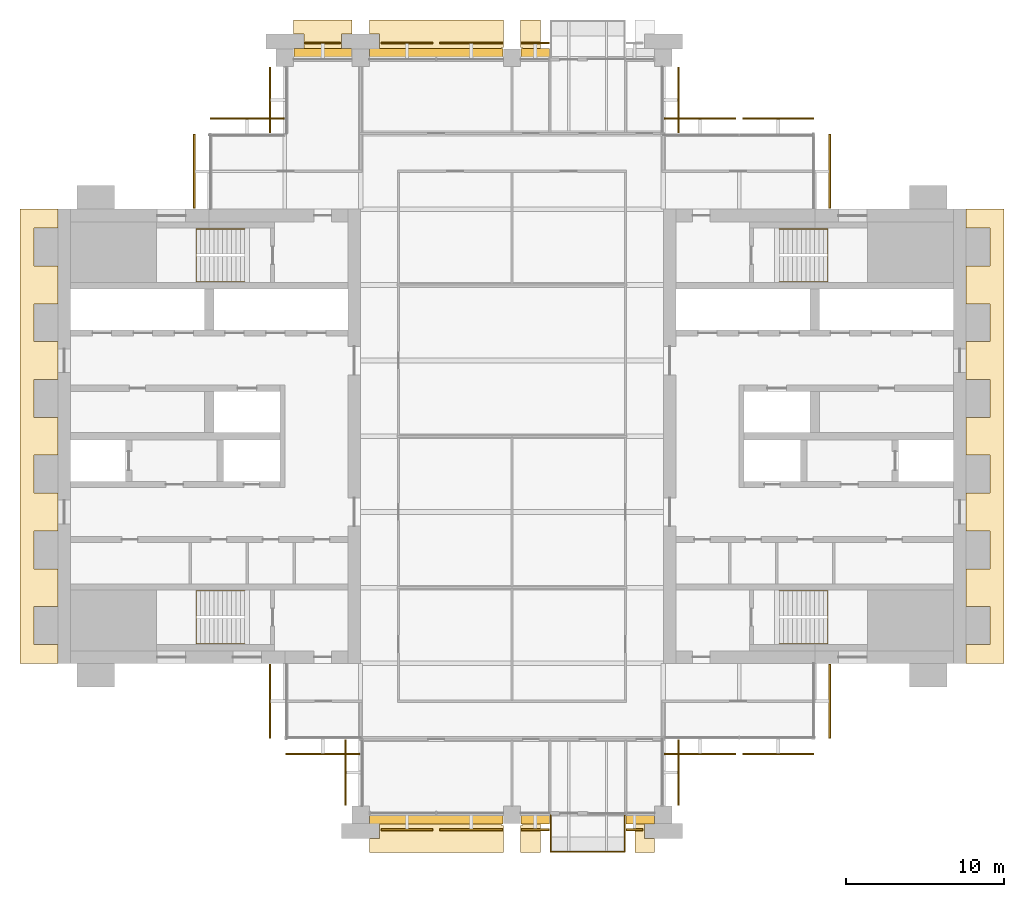
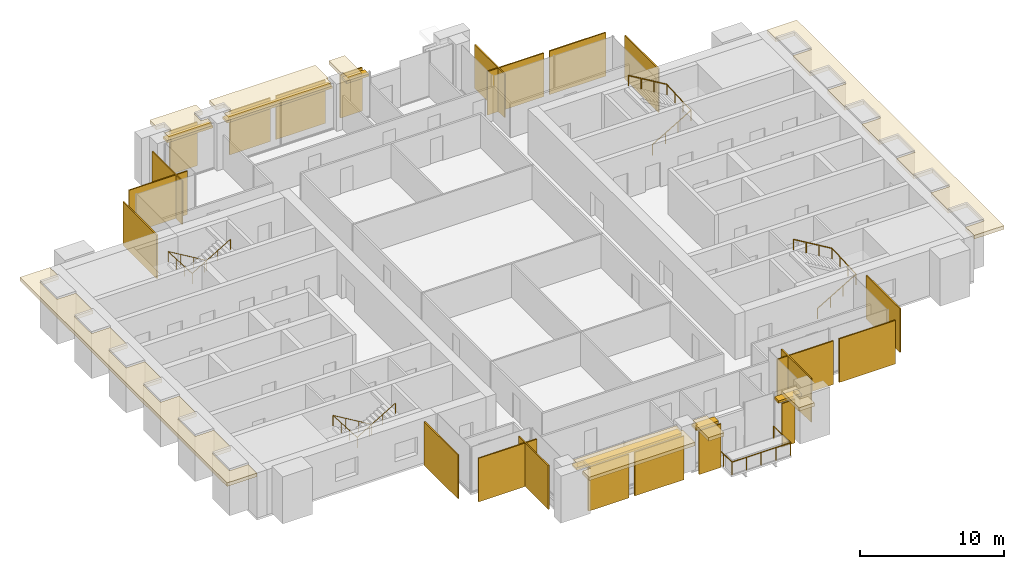
# One storey, part 13 of 14: 30 coverings, 6 shading devices, 5 railings.
"""IFC4 building model written with IfcOpenShell, lengths in metres."""

from ifc_helpers import new_model, si_unit, direction, frame, origin, origin_2d, place, context, subcontext, project, spatial, polyline, rectangle, circle, outline, extrude, material, layer, layer_set, type_object, element, save


model = new_model("IFC4")

# Units and contexts
model_context = context("Model", 3, precision=1e-05, world=origin(), true_north=direction((0.0, 1.0)))
body_context = subcontext(model_context, "Body", "Model", "MODEL_VIEW")
ifc_project = project(units=[si_unit("LENGTHUNIT", "METRE"), si_unit("AREAUNIT", "SQUARE_METRE"), si_unit("VOLUMEUNIT", "CUBIC_METRE"), si_unit("PLANEANGLEUNIT", "RADIAN"), si_unit("MASSUNIT", "GRAM", prefix="KILO")], contexts=[model_context])

# Site, building, storey
site_placement = place(None, origin())
site = spatial("IfcSite", under=ifc_project, at=site_placement, CompositionType="ELEMENT")
building_placement = place(site_placement, origin())
building = spatial("IfcBuilding", under=site, at=building_placement, Name="Baori Bourse Tower", CompositionType="ELEMENT")
storey_placement = place(building_placement, frame((0.0, 0.0, 221.199951171875)))
storey = spatial("IfcBuildingStorey", under=building, at=storey_placement, Name="L48", CompositionType="ELEMENT", Elevation=221.199951171875)

# Coverings
ifc_material_1 = material(Name="Pale anodised aluminium", Category="aluminium")
covering_type_1 = type_object("IfcCoveringType", Name="BD1 Pale metal band", PredefinedType="CLADDING", material=ifc_material_1)
covering_1_placement = place(storey_placement, frame((0.0, 0.0, 3.5400390625)))
element("IfcCovering", 1, at=covering_1_placement, inside=storey, type_object=covering_type_1, Name="Pale projecting band L48 1", PredefinedType="CLADDING", context=body_context, shape_type="SweptSolid", body=[
    extrude(outline(polyline([(57.60009765625, 10.800048828125), (57.60009765625, 9.60009765625), (60.0, 9.60009765625), (60.0, 38.39990234375), (57.60009765625, 38.39990234375), (57.60009765625, 37.199951171875), (59.10009765625, 37.199951171875), (59.10009765625, 34.800048828125), (57.60009765625, 34.800048828125), (57.60009765625, 32.39990234375), (59.10009765625, 32.39990234375), (59.10009765625, 30.0), (57.60009765625, 30.0), (57.60009765625, 27.60009765625), (59.10009765625, 27.60009765625), (59.10009765625, 25.199951171875), (57.60009765625, 25.199951171875), (57.60009765625, 22.800048828125), (59.10009765625, 22.800048828125), (59.10009765625, 20.39990234375), (57.60009765625, 20.39990234375), (57.60009765625, 18.0), (59.10009765625, 18.0), (59.10009765625, 15.60009765625), (57.60009765625, 15.60009765625), (57.60009765625, 13.199951171875), (59.10009765625, 13.199951171875), (59.10009765625, 10.800048828125), (57.60009765625, 10.800048828125)])), origin(), (0.0, 0.0, 1.0), 0.300048828125),
])
covering_2_placement = place(storey_placement, frame((0.0, 0.0, 3.5400390625)))
element("IfcCovering", 2, at=covering_2_placement, inside=storey, type_object=covering_type_1, Name="Pale projecting band L48 3", PredefinedType="CLADDING", context=body_context, shape_type="SweptSolid", body=[
    extrude(outline(polyline([(29.469970703125, 48.0), (30.60009765625, 48.0), (30.60009765625, 50.39990234375), (29.35009765625, 50.39990234375), (29.35009765625, 48.669921875), (29.469970703125, 48.669921875), (29.469970703125, 48.0)])), origin(), (0.0, 0.0, 1.0), 0.300048828125),
])
covering_3_placement = place(storey_placement, frame((0.0, 0.0, 3.5400390625)))
element("IfcCovering", 3, at=covering_3_placement, inside=storey, type_object=covering_type_1, Name="Pale projecting band L48 4", PredefinedType="CLADDING", context=body_context, shape_type="SweptSolid", body=[
    extrude(outline(polyline([(19.8701171875, 48.0), (28.1298828125, 48.0), (28.1298828125, 48.669921875), (28.25, 48.669921875), (28.25, 50.39990234375), (19.75, 50.39990234375), (19.75, 49.5), (20.39990234375, 49.5), (20.39990234375, 48.550048828125), (19.8701171875, 48.550048828125), (19.8701171875, 48.0)])), origin(), (0.0, 0.0, 1.0), 0.300048828125),
])
covering_4_placement = place(storey_placement, frame((0.0, 0.0, 3.5400390625)))
element("IfcCovering", 4, at=covering_4_placement, inside=storey, type_object=covering_type_1, Name="Pale projecting band L48 5", PredefinedType="CLADDING", context=body_context, shape_type="SweptSolid", body=[
    extrude(outline(polyline([(15.070068359375, 48.0), (18.530029296875, 48.0), (18.530029296875, 48.550048828125), (18.0, 48.550048828125), (18.0, 49.5), (18.64990234375, 49.5), (18.64990234375, 50.39990234375), (14.949951171875, 50.39990234375), (14.949951171875, 49.5), (15.60009765625, 49.5), (15.60009765625, 48.550048828125), (15.070068359375, 48.550048828125), (15.070068359375, 48.0)])), origin(), (0.0, 0.0, 1.0), 0.300048828125),
])
covering_5_placement = place(storey_placement, frame((0.0, 0.0, 3.5400390625)))
element("IfcCovering", 5, at=covering_5_placement, inside=storey, type_object=covering_type_1, Name="Pale projecting band L48 6", PredefinedType="CLADDING", context=body_context, shape_type="SweptSolid", body=[
    extrude(outline(polyline([(0.0, 37.199951171875), (0.0, 38.39990234375), (-2.39990234375, 38.39990234375), (-2.39990234375, 9.60009765625), (0.0, 9.60009765625), (0.0, 10.800048828125), (-1.5, 10.800048828125), (-1.5, 13.199951171875), (0.0, 13.199951171875), (0.0, 15.60009765625), (-1.5, 15.60009765625), (-1.5, 18.0), (0.0, 18.0), (0.0, 20.39990234375), (-1.5, 20.39990234375), (-1.5, 22.800048828125), (0.0, 22.800048828125), (0.0, 25.199951171875), (-1.5, 25.199951171875), (-1.5, 27.60009765625), (0.0, 27.60009765625), (0.0, 30.0), (-1.5, 30.0), (-1.5, 32.39990234375), (0.0, 32.39990234375), (0.0, 34.800048828125), (-1.5, 34.800048828125), (-1.5, 37.199951171875), (0.0, 37.199951171875)])), origin(), (0.0, 0.0, 1.0), 0.300048828125),
])
covering_6_placement = place(storey_placement, frame((0.0, 0.0, 3.5400390625)))
element("IfcCovering", 6, at=covering_6_placement, inside=storey, type_object=covering_type_1, Name="Pale projecting band L48 7", PredefinedType="CLADDING", context=body_context, shape_type="SweptSolid", body=[
    extrude(outline(polyline([(28.1298828125, 0.0), (19.8701171875, 0.0), (19.8701171875, -0.550048828125), (20.39990234375, -0.550048828125), (20.39990234375, -1.5), (19.75, -1.5), (19.75, -2.39990234375), (28.25, -2.39990234375), (28.25, -0.669921875), (28.1298828125, -0.669921875), (28.1298828125, 0.0)])), origin(), (0.0, 0.0, 1.0), 0.300048828125),
])
covering_7_placement = place(storey_placement, frame((0.0, 0.0, 3.5400390625)))
element("IfcCovering", 7, at=covering_7_placement, inside=storey, type_object=covering_type_1, Name="Pale projecting band L48 8", PredefinedType="CLADDING", context=body_context, shape_type="SweptSolid", body=[
    extrude(outline(polyline([(30.60009765625, 0.0), (29.469970703125, 0.0), (29.469970703125, -0.669921875), (29.35009765625, -0.669921875), (29.35009765625, -2.39990234375), (30.60009765625, -2.39990234375), (30.60009765625, 0.0)])), origin(), (0.0, 0.0, 1.0), 0.300048828125),
])
covering_8_placement = place(storey_placement, frame((0.0, 0.0, 3.5400390625)))
element("IfcCovering", 8, at=covering_8_placement, inside=storey, type_object=covering_type_1, Name="Pale projecting band L48 9", PredefinedType="CLADDING", context=body_context, shape_type="SweptSolid", body=[
    extrude(outline(polyline([(37.72998046875, 0.0), (36.60009765625, 0.0), (36.60009765625, -2.39990234375), (37.85009765625, -2.39990234375), (37.85009765625, -1.5), (37.199951171875, -1.5), (37.199951171875, -0.550048828125), (37.72998046875, -0.550048828125), (37.72998046875, 0.0)])), origin(), (0.0, 0.0, 1.0), 0.300048828125),
])

# Shading devices
ifc_material_2 = material(Name="Concrete f'c 40 MPa", Category="concrete")
ifc_layer_1 = layer(ifc_material_2, 0.199951171875)
ifc_layer_set_1 = layer_set([ifc_layer_1], Name="BS1 Brise-soleil ledge")
shading_device_type = type_object("IfcShadingDeviceType", Name="BS1 Brise-soleil ledge", PredefinedType="USERDEFINED", material=ifc_layer_set_1)
shading_device_1_placement = place(storey_placement, frame((30.27490234375, 48.300048828125, 3.33984375), z_axis=(0.0, 0.0, 1.0), x_axis=(-1.0, 0.0, 0.0)))
element("IfcShadingDevice", 9, at=shading_device_1_placement, inside=storey, type_object=shading_device_type, Name="Brise-soleil ledge L48 2", ObjectType="BRISE SOLEIL", PredefinedType="USERDEFINED", context=body_context, shape_type="SweptSolid", body=[
    extrude(rectangle(XDim=1.81005859375, YDim=0.60009765625, at=origin_2d()), origin(), (0.0, 0.0, 1.0), 0.199951171875),
])
shading_device_2_placement = place(storey_placement, frame((24.0, 48.300048828125, 3.33984375), z_axis=(0.0, 0.0, 1.0), x_axis=(-1.0, 0.0, 0.0)))
element("IfcShadingDevice", 10, at=shading_device_2_placement, inside=storey, type_object=shading_device_type, Name="Brise-soleil ledge L48 3", ObjectType="BRISE SOLEIL", PredefinedType="USERDEFINED", context=body_context, shape_type="SweptSolid", body=[
    extrude(rectangle(XDim=8.4599609375, YDim=0.60009765625, at=origin_2d()), origin(), (0.0, 0.0, 1.0), 0.199951171875),
])
shading_device_3_placement = place(storey_placement, frame((16.800048828125, 48.300048828125, 3.33984375), z_axis=(0.0, 0.0, 1.0), x_axis=(-1.0, 0.0, 0.0)))
element("IfcShadingDevice", 11, at=shading_device_3_placement, inside=storey, type_object=shading_device_type, Name="Brise-soleil ledge L48 4", ObjectType="BRISE SOLEIL", PredefinedType="USERDEFINED", context=body_context, shape_type="SweptSolid", body=[
    extrude(rectangle(XDim=3.659912109375, YDim=0.60009765625, at=origin_2d()), origin(), (0.0, 0.0, 1.0), 0.199951171875),
])
shading_device_4_placement = place(storey_placement, frame((24.0, -0.300048828125, 3.33984375), z_axis=(0.0, 0.0, 1.0), x_axis=(1.0, 0.0, 0.0)))
element("IfcShadingDevice", 12, at=shading_device_4_placement, inside=storey, type_object=shading_device_type, Name="Brise-soleil ledge L48 5", ObjectType="BRISE SOLEIL", PredefinedType="USERDEFINED", context=body_context, shape_type="SweptSolid", body=[
    extrude(rectangle(XDim=8.4599609375, YDim=0.60009765625, at=origin_2d()), origin(), (0.0, 0.0, 1.0), 0.199951171875),
])
for number, where, z_axis, x_axis, name in (
    (13, (30.27490234375, -0.300048828125, 3.33984375), (0.0, 0.0, 1.0), (1.0, 0.0, 0.0), "Brise-soleil ledge L48 6"),
    (14, (36.925048828125, -0.300048828125, 3.33984375), (0.0, 0.0, 1.0), (1.0, 0.0, 0.0), "Brise-soleil ledge L48 7"),
):
    element("IfcShadingDevice", number, at=place(storey_placement, frame(where, z_axis=z_axis, x_axis=x_axis)), inside=storey, type_object=shading_device_type, Name=name, ObjectType="BRISE SOLEIL", PredefinedType="USERDEFINED", context=body_context, shape_type="SweptSolid", body=[
        extrude(rectangle(XDim=1.81005859375, YDim=0.60009765625, at=origin_2d()), origin(), (0.0, 0.0, 1.0), 0.199951171875),
    ])

# Railings
ifc_material_3 = material(Name="Powder-coated steel balustrade", Category="steel")
railing_type_1 = type_object("IfcRailingType", Name="Core stair handrail", PredefinedType="HANDRAIL", material=ifc_material_3)
railing_1_placement = place(storey_placement, frame((11.85009765625, 14.199951171875, 0.166748046875)))
element("IfcRailing", 15, at=railing_1_placement, inside=storey, type_object=railing_type_1, Name="L48 ST1 stair handrail 1", PredefinedType="HANDRAIL", context=body_context, shape_type="SweptSolid", body=[
    extrude(circle(Radius=0.02392578125, at=origin_2d()), frame((0.0, 0.0, 0.8759765625), z_axis=(-0.859308565015, 0.0, 0.511457515432), x_axis=(0.0, -1.0, 0.0)), (0.0, 0.0, 1.0), 3.58447265625),
    extrude(circle(Radius=0.02392578125, at=origin_2d()), frame((-3.080078125, 0.0, 2.708984375), z_axis=(0.0, -0.998763387249, 0.04971615724), x_axis=(1.0, 0.0, 0.0)), (0.0, 0.0, 1.0), 3.35400390625),
    extrude(circle(Radius=0.02392578125, at=origin_2d()), frame((-3.080078125, -3.349853515625, 2.8759765625), z_axis=(0.859308565015, 0.0, 0.511457515432), x_axis=(0.0, 1.0, 0.0)), (0.0, 0.0, 1.0), 3.58447265625),
    extrude(circle(Radius=0.02099609375, at=origin_2d()), origin(), (0.0, 0.0, 1.0), 0.851806640625),
    extrude(circle(Radius=0.02099609375, at=origin_2d()), frame((-1.026611328125, 0.0, 0.611083984375)), (0.0, 0.0, 1.0), 0.851806640625),
    extrude(circle(Radius=0.02099609375, at=origin_2d()), frame((-2.053466796875, 0.0, 1.22216796875)), (0.0, 0.0, 1.0), 0.851806640625),
    extrude(circle(Radius=0.02099609375, at=origin_2d()), frame((-3.080078125, 0.0, 1.833251953125)), (0.0, 0.0, 1.0), 0.851806640625),
    extrude(circle(Radius=0.02099609375, at=origin_2d()), frame((-3.080078125, -1.11669921875, 1.888916015625)), (0.0, 0.0, 1.0), 0.851806640625),
    extrude(circle(Radius=0.02099609375, at=origin_2d()), frame((-3.080078125, -2.233154296875, 1.9443359375)), (0.0, 0.0, 1.0), 0.851806640625),
    extrude(circle(Radius=0.02099609375, at=origin_2d()), frame((-3.080078125, -3.349853515625, 2.0)), (0.0, 0.0, 1.0), 0.851806640625),
    extrude(circle(Radius=0.02099609375, at=origin_2d()), frame((-2.053466796875, -3.349853515625, 2.611083984375)), (0.0, 0.0, 1.0), 0.851806640625),
    extrude(circle(Radius=0.02099609375, at=origin_2d()), frame((-1.026611328125, -3.349853515625, 3.22216796875)), (0.0, 0.0, 1.0), 0.851806640625),
    extrude(circle(Radius=0.02099609375, at=origin_2d()), frame((0.0, -3.349853515625, 3.833251953125)), (0.0, 0.0, 1.0), 0.851806640625),
])
railing_2_placement = place(storey_placement, frame((11.85009765625, 37.14990234375, 0.166748046875)))
element("IfcRailing", 16, at=railing_2_placement, inside=storey, type_object=railing_type_1, Name="L48 ST2 stair handrail 1", PredefinedType="HANDRAIL", context=body_context, shape_type="SweptSolid", body=[
    extrude(circle(Radius=0.02392578125, at=origin_2d()), frame((0.0, 0.0, 0.8759765625), z_axis=(-0.859308565015, 0.0, 0.511457515432), x_axis=(0.0, -1.0, 0.0)), (0.0, 0.0, 1.0), 3.58447265625),
    extrude(circle(Radius=0.02392578125, at=origin_2d()), frame((-3.080078125, 0.0, 2.708984375), z_axis=(0.0, -0.998763387249, 0.04971615724), x_axis=(1.0, 0.0, 0.0)), (0.0, 0.0, 1.0), 3.35400390625),
    extrude(circle(Radius=0.02392578125, at=origin_2d()), frame((-3.080078125, -3.349853515625, 2.8759765625), z_axis=(0.859308565015, 0.0, 0.511457515432), x_axis=(0.0, 1.0, 0.0)), (0.0, 0.0, 1.0), 3.58447265625),
    extrude(circle(Radius=0.02099609375, at=origin_2d()), origin(), (0.0, 0.0, 1.0), 0.851806640625),
    extrude(circle(Radius=0.02099609375, at=origin_2d()), frame((-1.026611328125, 0.0, 0.611083984375)), (0.0, 0.0, 1.0), 0.851806640625),
    extrude(circle(Radius=0.02099609375, at=origin_2d()), frame((-2.053466796875, 0.0, 1.22216796875)), (0.0, 0.0, 1.0), 0.851806640625),
    extrude(circle(Radius=0.02099609375, at=origin_2d()), frame((-3.080078125, 0.0, 1.833251953125)), (0.0, 0.0, 1.0), 0.851806640625),
    extrude(circle(Radius=0.02099609375, at=origin_2d()), frame((-3.080078125, -1.11669921875, 1.888916015625)), (0.0, 0.0, 1.0), 0.851806640625),
    extrude(circle(Radius=0.02099609375, at=origin_2d()), frame((-3.080078125, -2.233154296875, 1.9443359375)), (0.0, 0.0, 1.0), 0.851806640625),
    extrude(circle(Radius=0.02099609375, at=origin_2d()), frame((-3.080078125, -3.349853515625, 2.0)), (0.0, 0.0, 1.0), 0.851806640625),
    extrude(circle(Radius=0.02099609375, at=origin_2d()), frame((-2.053466796875, -3.349853515625, 2.611083984375)), (0.0, 0.0, 1.0), 0.851806640625),
    extrude(circle(Radius=0.02099609375, at=origin_2d()), frame((-1.026611328125, -3.349853515625, 3.22216796875)), (0.0, 0.0, 1.0), 0.851806640625),
    extrude(circle(Radius=0.02099609375, at=origin_2d()), frame((0.0, -3.349853515625, 3.833251953125)), (0.0, 0.0, 1.0), 0.851806640625),
])
railing_3_placement = place(storey_placement, frame((45.75, 10.85009765625, 0.166748046875)))
element("IfcRailing", 17, at=railing_3_placement, inside=storey, type_object=railing_type_1, Name="L48 ST3 stair handrail 1", PredefinedType="HANDRAIL", context=body_context, shape_type="SweptSolid", body=[
    extrude(circle(Radius=0.02392578125, at=origin_2d()), frame((0.0, 0.0, 0.8759765625), z_axis=(0.859308565015, 0.0, 0.511457515432), x_axis=(0.0, 1.0, 0.0)), (0.0, 0.0, 1.0), 3.58447265625),
    extrude(circle(Radius=0.02392578125, at=origin_2d()), frame((3.080078125, 0.0, 2.708984375), z_axis=(0.0, 0.998763387249, 0.04971615724), x_axis=(-1.0, 0.0, 0.0)), (0.0, 0.0, 1.0), 3.35400390625),
    extrude(circle(Radius=0.02392578125, at=origin_2d()), frame((3.080078125, 3.349853515625, 2.8759765625), z_axis=(-0.859308565015, 0.0, 0.511457515432), x_axis=(0.0, -1.0, 0.0)), (0.0, 0.0, 1.0), 3.58447265625),
    extrude(circle(Radius=0.02099609375, at=origin_2d()), origin(), (0.0, 0.0, 1.0), 0.851806640625),
    extrude(circle(Radius=0.02099609375, at=origin_2d()), frame((1.026611328125, 0.0, 0.611083984375)), (0.0, 0.0, 1.0), 0.851806640625),
    extrude(circle(Radius=0.02099609375, at=origin_2d()), frame((2.053466796875, 0.0, 1.22216796875)), (0.0, 0.0, 1.0), 0.851806640625),
    extrude(circle(Radius=0.02099609375, at=origin_2d()), frame((3.080078125, 0.0, 1.833251953125)), (0.0, 0.0, 1.0), 0.851806640625),
    extrude(circle(Radius=0.02099609375, at=origin_2d()), frame((3.080078125, 1.11669921875, 1.888916015625)), (0.0, 0.0, 1.0), 0.851806640625),
    extrude(circle(Radius=0.02099609375, at=origin_2d()), frame((3.080078125, 2.233154296875, 1.9443359375)), (0.0, 0.0, 1.0), 0.851806640625),
    extrude(circle(Radius=0.02099609375, at=origin_2d()), frame((3.080078125, 3.349853515625, 2.0)), (0.0, 0.0, 1.0), 0.851806640625),
    extrude(circle(Radius=0.02099609375, at=origin_2d()), frame((2.053466796875, 3.349853515625, 2.611083984375)), (0.0, 0.0, 1.0), 0.851806640625),
    extrude(circle(Radius=0.02099609375, at=origin_2d()), frame((1.026611328125, 3.349853515625, 3.22216796875)), (0.0, 0.0, 1.0), 0.851806640625),
    extrude(circle(Radius=0.02099609375, at=origin_2d()), frame((0.0, 3.349853515625, 3.833251953125)), (0.0, 0.0, 1.0), 0.851806640625),
])
railing_4_placement = place(storey_placement, frame((45.75, 33.800048828125, 0.166748046875)))
element("IfcRailing", 18, at=railing_4_placement, inside=storey, type_object=railing_type_1, Name="L48 ST4 stair handrail 1", PredefinedType="HANDRAIL", context=body_context, shape_type="SweptSolid", body=[
    extrude(circle(Radius=0.02392578125, at=origin_2d()), frame((0.0, 0.0, 0.8759765625), z_axis=(0.859308565015, 0.0, 0.511457515432), x_axis=(0.0, 1.0, 0.0)), (0.0, 0.0, 1.0), 3.58447265625),
    extrude(circle(Radius=0.02392578125, at=origin_2d()), frame((3.080078125, 0.0, 2.708984375), z_axis=(0.0, 0.998763387249, 0.04971615724), x_axis=(-1.0, 0.0, 0.0)), (0.0, 0.0, 1.0), 3.35400390625),
    extrude(circle(Radius=0.02392578125, at=origin_2d()), frame((3.080078125, 3.349853515625, 2.8759765625), z_axis=(-0.859308565015, 0.0, 0.511457515432), x_axis=(0.0, -1.0, 0.0)), (0.0, 0.0, 1.0), 3.58447265625),
    extrude(circle(Radius=0.02099609375, at=origin_2d()), origin(), (0.0, 0.0, 1.0), 0.851806640625),
    extrude(circle(Radius=0.02099609375, at=origin_2d()), frame((1.026611328125, 0.0, 0.611083984375)), (0.0, 0.0, 1.0), 0.851806640625),
    extrude(circle(Radius=0.02099609375, at=origin_2d()), frame((2.053466796875, 0.0, 1.22216796875)), (0.0, 0.0, 1.0), 0.851806640625),
    extrude(circle(Radius=0.02099609375, at=origin_2d()), frame((3.080078125, 0.0, 1.833251953125)), (0.0, 0.0, 1.0), 0.851806640625),
    extrude(circle(Radius=0.02099609375, at=origin_2d()), frame((3.080078125, 1.11669921875, 1.888916015625)), (0.0, 0.0, 1.0), 0.851806640625),
    extrude(circle(Radius=0.02099609375, at=origin_2d()), frame((3.080078125, 2.233154296875, 1.9443359375)), (0.0, 0.0, 1.0), 0.851806640625),
    extrude(circle(Radius=0.02099609375, at=origin_2d()), frame((3.080078125, 3.349853515625, 2.0)), (0.0, 0.0, 1.0), 0.851806640625),
    extrude(circle(Radius=0.02099609375, at=origin_2d()), frame((2.053466796875, 3.349853515625, 2.611083984375)), (0.0, 0.0, 1.0), 0.851806640625),
    extrude(circle(Radius=0.02099609375, at=origin_2d()), frame((1.026611328125, 3.349853515625, 3.22216796875)), (0.0, 0.0, 1.0), 0.851806640625),
    extrude(circle(Radius=0.02099609375, at=origin_2d()), frame((0.0, 3.349853515625, 3.833251953125)), (0.0, 0.0, 1.0), 0.851806640625),
])
ifc_material_4 = material(Name="Stainless steel", Category="steel")
railing_type_2 = type_object("IfcRailingType", Name="GD1 Guard", PredefinedType="GUARDRAIL", material=ifc_material_4)
railing_5_placement = place(storey_placement, frame((31.25, -0.030029296875, 0.0)))
element("IfcRailing", 19, at=railing_5_placement, inside=storey, type_object=railing_type_2, Name="Guard balcony S L48 1", PredefinedType="GUARDRAIL", context=body_context, shape_type="SweptSolid", body=[
    extrude(circle(Radius=0.02392578125, at=origin_2d()), frame((0.0, 0.0, 1.076171875), z_axis=(0.0, -1.0, 0.0), x_axis=(1.0, 0.0, 0.0)), (0.0, 0.0, 1.0), 2.320068359375),
    extrude(circle(Radius=0.02392578125, at=origin_2d()), frame((0.0, -2.320068359375, 1.076171875), z_axis=(1.0, 0.0, 0.0), x_axis=(0.0, 1.0, 0.0)), (0.0, 0.0, 1.0), 4.699951171875),
    extrude(circle(Radius=0.02392578125, at=origin_2d()), frame((4.699951171875, -2.320068359375, 1.076171875), z_axis=(0.0, 1.0, 0.0), x_axis=(-1.0, 0.0, 0.0)), (0.0, 0.0, 1.0), 2.320068359375),
    extrude(circle(Radius=0.02099609375, at=origin_2d()), origin(), (0.0, 0.0, 1.0), 1.052001953125),
    extrude(circle(Radius=0.02099609375, at=origin_2d()), frame((0.0, -1.16015625, 0.0)), (0.0, 0.0, 1.0), 1.052001953125),
    extrude(circle(Radius=0.02099609375, at=origin_2d()), frame((0.0, -2.320068359375, 0.0)), (0.0, 0.0, 1.0), 1.052001953125),
    extrude(circle(Radius=0.02099609375, at=origin_2d()), frame((1.175048828125, -2.320068359375, 0.0)), (0.0, 0.0, 1.0), 1.052001953125),
    extrude(circle(Radius=0.02099609375, at=origin_2d()), frame((2.35009765625, -2.320068359375, 0.0)), (0.0, 0.0, 1.0), 1.052001953125),
    extrude(circle(Radius=0.02099609375, at=origin_2d()), frame((3.52490234375, -2.320068359375, 0.0)), (0.0, 0.0, 1.0), 1.052001953125),
    extrude(circle(Radius=0.02099609375, at=origin_2d()), frame((4.699951171875, -2.320068359375, 0.0)), (0.0, 0.0, 1.0), 1.052001953125),
    extrude(circle(Radius=0.02099609375, at=origin_2d()), frame((4.699951171875, -1.16015625, 0.0)), (0.0, 0.0, 1.0), 1.052001953125),
    extrude(circle(Radius=0.02099609375, at=origin_2d()), frame((4.699951171875, 0.0, 0.0)), (0.0, 0.0, 1.0), 1.052001953125),
])

# Coverings
ifc_material_5 = material(Name="Pale anodised aluminium", Category="aluminium")
ifc_layer_2 = layer(ifc_material_5, 0.10009765625)
ifc_layer_set_2 = layer_set([ifc_layer_2], Name="OS3 Outer skin screen panel")
covering_type_2 = type_object("IfcCoveringType", Name="OS3 Outer skin screen panel", PredefinedType="CLADDING", material=ifc_layer_set_2)
covering_9_placement = place(storey_placement, frame((0.0, 0.0, -0.159912109375)))
element("IfcCovering", 20, at=covering_9_placement, inside=storey, type_object=covering_type_2, Name="Outer skin screen L48 1", PredefinedType="CLADDING", context=body_context, shape_type="SweptSolid", body=[
    extrude(outline(polyline([(48.89990234375, 43.14990234375), (48.89990234375, 38.449951171875), (49.0, 38.449951171875), (49.0, 43.14990234375), (48.89990234375, 43.14990234375)])), origin(), (0.0, 0.0, 1.0), 3.699951171875),
])
covering_10_placement = place(storey_placement, frame((0.0, 0.0, -0.159912109375)))
element("IfcCovering", 21, at=covering_10_placement, inside=storey, type_object=covering_type_2, Name="Outer skin screen L48 2", PredefinedType="CLADDING", context=body_context, shape_type="SweptSolid", body=[
    extrude(outline(polyline([(43.425048828125, 44.10009765625), (47.949951171875, 44.10009765625), (47.949951171875, 44.199951171875), (43.425048828125, 44.199951171875), (43.425048828125, 44.10009765625)])), origin(), (0.0, 0.0, 1.0), 3.699951171875),
])
covering_11_placement = place(storey_placement, frame((0.0, 0.0, -0.159912109375)))
element("IfcCovering", 22, at=covering_11_placement, inside=storey, type_object=covering_type_2, Name="Outer skin screen L48 3", PredefinedType="CLADDING", context=body_context, shape_type="SweptSolid", body=[
    extrude(outline(polyline([(38.449951171875, 44.10009765625), (42.97509765625, 44.10009765625), (42.97509765625, 44.199951171875), (38.449951171875, 44.199951171875), (38.449951171875, 44.10009765625)])), origin(), (0.0, 0.0, 1.0), 3.699951171875),
])
covering_12_placement = place(storey_placement, frame((0.0, 0.0, -0.159912109375)))
element("IfcCovering", 23, at=covering_12_placement, inside=storey, type_object=covering_type_2, Name="Outer skin screen L48 4", PredefinedType="CLADDING", context=body_context, shape_type="SweptSolid", body=[
    extrude(outline(polyline([(39.300048828125, 47.39990234375), (39.300048828125, 43.25), (39.39990234375, 43.25), (39.39990234375, 47.39990234375), (39.300048828125, 47.39990234375)])), origin(), (0.0, 0.0, 1.0), 3.699951171875),
])
covering_13_placement = place(storey_placement, frame((0.0, 0.0, -0.159912109375)))
element("IfcCovering", 24, at=covering_13_placement, inside=storey, type_object=covering_type_2, Name="Outer skin screen L48 6", PredefinedType="CLADDING", context=body_context, shape_type="SweptSolid", body=[
    extrude(outline(polyline([(29.39990234375, 48.89990234375), (31.14990234375, 48.89990234375), (31.14990234375, 49.0), (29.39990234375, 49.0), (29.39990234375, 48.89990234375)])), origin(), (0.0, 0.0, 1.0), 3.699951171875),
])
covering_14_placement = place(storey_placement, frame((0.0, 0.0, -0.159912109375)))
element("IfcCovering", 25, at=covering_14_placement, inside=storey, type_object=covering_type_2, Name="Outer skin screen L48 7", PredefinedType="CLADDING", context=body_context, shape_type="SweptSolid", body=[
    extrude(outline(polyline([(24.22509765625, 48.89990234375), (28.199951171875, 48.89990234375), (28.199951171875, 49.0), (24.22509765625, 49.0), (24.22509765625, 48.89990234375)])), origin(), (0.0, 0.0, 1.0), 3.699951171875),
])
covering_15_placement = place(storey_placement, frame((0.0, 0.0, -0.159912109375)))
element("IfcCovering", 26, at=covering_15_placement, inside=storey, type_object=covering_type_2, Name="Outer skin screen L48 8", PredefinedType="CLADDING", context=body_context, shape_type="SweptSolid", body=[
    extrude(outline(polyline([(20.5, 48.89990234375), (23.77490234375, 48.89990234375), (23.77490234375, 49.0), (20.5, 49.0), (20.5, 48.89990234375)])), origin(), (0.0, 0.0, 1.0), 3.699951171875),
])
covering_16_placement = place(storey_placement, frame((0.0, 0.0, -0.159912109375)))
element("IfcCovering", 27, at=covering_16_placement, inside=storey, type_object=covering_type_2, Name="Outer skin screen L48 9", PredefinedType="CLADDING", context=body_context, shape_type="SweptSolid", body=[
    extrude(outline(polyline([(15.699951171875, 48.89990234375), (17.89990234375, 48.89990234375), (17.89990234375, 49.0), (15.699951171875, 49.0), (15.699951171875, 48.89990234375)])), origin(), (0.0, 0.0, 1.0), 3.699951171875),
])
covering_17_placement = place(storey_placement, frame((0.0, 0.0, -0.159912109375)))
element("IfcCovering", 28, at=covering_17_placement, inside=storey, type_object=covering_type_2, Name="Outer skin screen L48 10", PredefinedType="CLADDING", context=body_context, shape_type="SweptSolid", body=[
    extrude(outline(polyline([(13.5, 43.25), (13.5, 47.39990234375), (13.39990234375, 47.39990234375), (13.39990234375, 43.25), (13.5, 43.25)])), origin(), (0.0, 0.0, 1.0), 3.699951171875),
])
covering_18_placement = place(storey_placement, frame((0.0, 0.0, -0.159912109375)))
element("IfcCovering", 29, at=covering_18_placement, inside=storey, type_object=covering_type_2, Name="Outer skin screen L48 11", PredefinedType="CLADDING", context=body_context, shape_type="SweptSolid", body=[
    extrude(outline(polyline([(9.64990234375, 44.10009765625), (14.35009765625, 44.10009765625), (14.35009765625, 44.199951171875), (9.64990234375, 44.199951171875), (9.64990234375, 44.10009765625)])), origin(), (0.0, 0.0, 1.0), 3.699951171875),
])
covering_19_placement = place(storey_placement, frame((0.0, 0.0, -0.159912109375)))
element("IfcCovering", 30, at=covering_19_placement, inside=storey, type_object=covering_type_2, Name="Outer skin screen L48 12", PredefinedType="CLADDING", context=body_context, shape_type="SweptSolid", body=[
    extrude(outline(polyline([(8.699951171875, 38.449951171875), (8.699951171875, 43.14990234375), (8.60009765625, 43.14990234375), (8.60009765625, 38.449951171875), (8.699951171875, 38.449951171875)])), origin(), (0.0, 0.0, 1.0), 3.699951171875),
])
covering_20_placement = place(storey_placement, frame((0.0, 0.0, -0.159912109375)))
element("IfcCovering", 31, at=covering_20_placement, inside=storey, type_object=covering_type_2, Name="Outer skin screen L48 13", PredefinedType="CLADDING", context=body_context, shape_type="SweptSolid", body=[
    extrude(outline(polyline([(13.5, 4.85009765625), (13.5, 9.550048828125), (13.39990234375, 9.550048828125), (13.39990234375, 4.85009765625), (13.5, 4.85009765625)])), origin(), (0.0, 0.0, 1.0), 3.699951171875),
])
covering_21_placement = place(storey_placement, frame((0.0, 0.0, -0.159912109375)))
element("IfcCovering", 32, at=covering_21_placement, inside=storey, type_object=covering_type_2, Name="Outer skin screen L48 14", PredefinedType="CLADDING", context=body_context, shape_type="SweptSolid", body=[
    extrude(outline(polyline([(19.14990234375, 3.89990234375), (14.449951171875, 3.89990234375), (14.449951171875, 3.800048828125), (19.14990234375, 3.800048828125), (19.14990234375, 3.89990234375)])), origin(), (0.0, 0.0, 1.0), 3.699951171875),
])
covering_22_placement = place(storey_placement, frame((0.0, 0.0, -0.159912109375)))
element("IfcCovering", 33, at=covering_22_placement, inside=storey, type_object=covering_type_2, Name="Outer skin screen L48 15", PredefinedType="CLADDING", context=body_context, shape_type="SweptSolid", body=[
    extrude(outline(polyline([(18.300048828125, 0.60009765625), (18.300048828125, 4.75), (18.199951171875, 4.75), (18.199951171875, 0.60009765625), (18.300048828125, 0.60009765625)])), origin(), (0.0, 0.0, 1.0), 3.699951171875),
])
covering_23_placement = place(storey_placement, frame((0.0, 0.0, -0.159912109375)))
element("IfcCovering", 34, at=covering_23_placement, inside=storey, type_object=covering_type_2, Name="Outer skin screen L48 16", PredefinedType="CLADDING", context=body_context, shape_type="SweptSolid", body=[
    extrude(outline(polyline([(23.77490234375, -0.89990234375), (20.5, -0.89990234375), (20.5, -1.0), (23.77490234375, -1.0), (23.77490234375, -0.89990234375)])), origin(), (0.0, 0.0, 1.0), 3.699951171875),
])
covering_24_placement = place(storey_placement, frame((0.0, 0.0, -0.159912109375)))
element("IfcCovering", 35, at=covering_24_placement, inside=storey, type_object=covering_type_2, Name="Outer skin screen L48 17", PredefinedType="CLADDING", context=body_context, shape_type="SweptSolid", body=[
    extrude(outline(polyline([(28.199951171875, -0.89990234375), (24.22509765625, -0.89990234375), (24.22509765625, -1.0), (28.199951171875, -1.0), (28.199951171875, -0.89990234375)])), origin(), (0.0, 0.0, 1.0), 3.699951171875),
])
covering_25_placement = place(storey_placement, frame((0.0, 0.0, -0.159912109375)))
element("IfcCovering", 36, at=covering_25_placement, inside=storey, type_object=covering_type_2, Name="Outer skin screen L48 18", PredefinedType="CLADDING", context=body_context, shape_type="SweptSolid", body=[
    extrude(outline(polyline([(31.14990234375, -0.89990234375), (29.39990234375, -0.89990234375), (29.39990234375, -1.0), (31.14990234375, -1.0), (31.14990234375, -0.89990234375)])), origin(), (0.0, 0.0, 1.0), 3.699951171875),
])
covering_26_placement = place(storey_placement, frame((0.0, 0.0, -0.159912109375)))
element("IfcCovering", 37, at=covering_26_placement, inside=storey, type_object=covering_type_2, Name="Outer skin screen L48 19", PredefinedType="CLADDING", context=body_context, shape_type="SweptSolid", body=[
    extrude(outline(polyline([(37.10009765625, -0.89990234375), (36.050048828125, -0.89990234375), (36.050048828125, -1.0), (37.10009765625, -1.0), (37.10009765625, -0.89990234375)])), origin(), (0.0, 0.0, 1.0), 3.699951171875),
])
covering_27_placement = place(storey_placement, frame((0.0, 0.0, -0.159912109375)))
element("IfcCovering", 38, at=covering_27_placement, inside=storey, type_object=covering_type_2, Name="Outer skin screen L48 20", PredefinedType="CLADDING", context=body_context, shape_type="SweptSolid", body=[
    extrude(outline(polyline([(39.300048828125, 4.75), (39.300048828125, 0.60009765625), (39.39990234375, 0.60009765625), (39.39990234375, 4.75), (39.300048828125, 4.75)])), origin(), (0.0, 0.0, 1.0), 3.699951171875),
])
covering_28_placement = place(storey_placement, frame((0.0, 0.0, -0.159912109375)))
element("IfcCovering", 39, at=covering_28_placement, inside=storey, type_object=covering_type_2, Name="Outer skin screen L48 21", PredefinedType="CLADDING", context=body_context, shape_type="SweptSolid", body=[
    extrude(outline(polyline([(42.97509765625, 3.89990234375), (38.449951171875, 3.89990234375), (38.449951171875, 3.800048828125), (42.97509765625, 3.800048828125), (42.97509765625, 3.89990234375)])), origin(), (0.0, 0.0, 1.0), 3.699951171875),
])
covering_29_placement = place(storey_placement, frame((0.0, 0.0, -0.159912109375)))
element("IfcCovering", 40, at=covering_29_placement, inside=storey, type_object=covering_type_2, Name="Outer skin screen L48 22", PredefinedType="CLADDING", context=body_context, shape_type="SweptSolid", body=[
    extrude(outline(polyline([(47.949951171875, 3.89990234375), (43.425048828125, 3.89990234375), (43.425048828125, 3.800048828125), (47.949951171875, 3.800048828125), (47.949951171875, 3.89990234375)])), origin(), (0.0, 0.0, 1.0), 3.699951171875),
])
covering_30_placement = place(storey_placement, frame((0.0, 0.0, -0.159912109375)))
element("IfcCovering", 41, at=covering_30_placement, inside=storey, type_object=covering_type_2, Name="Outer skin screen L48 23", PredefinedType="CLADDING", context=body_context, shape_type="SweptSolid", body=[
    extrude(outline(polyline([(48.89990234375, 9.550048828125), (48.89990234375, 4.85009765625), (49.0, 4.85009765625), (49.0, 9.550048828125), (48.89990234375, 9.550048828125)])), origin(), (0.0, 0.0, 1.0), 3.699951171875),
])

save(model, "model.ifc")
